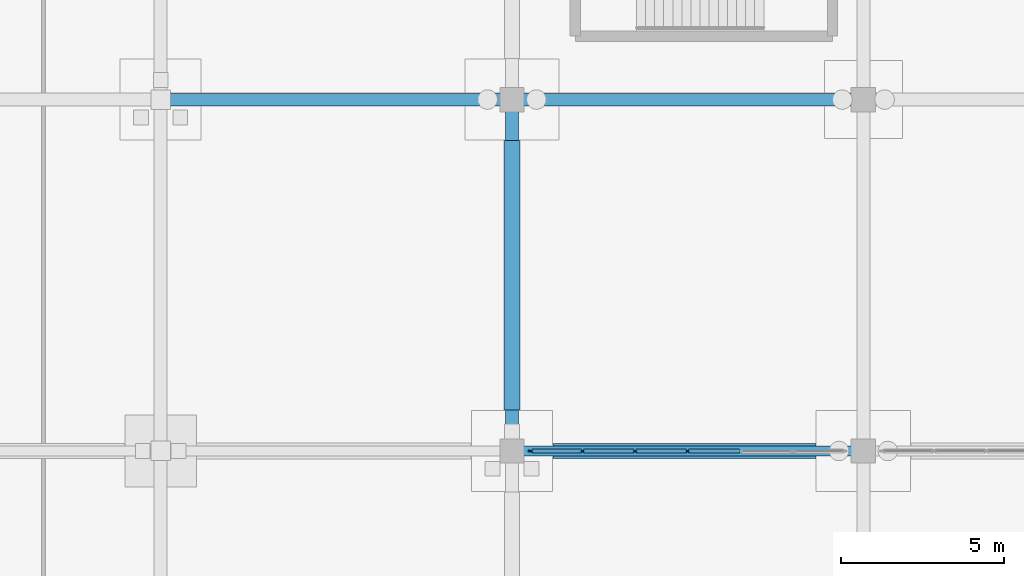
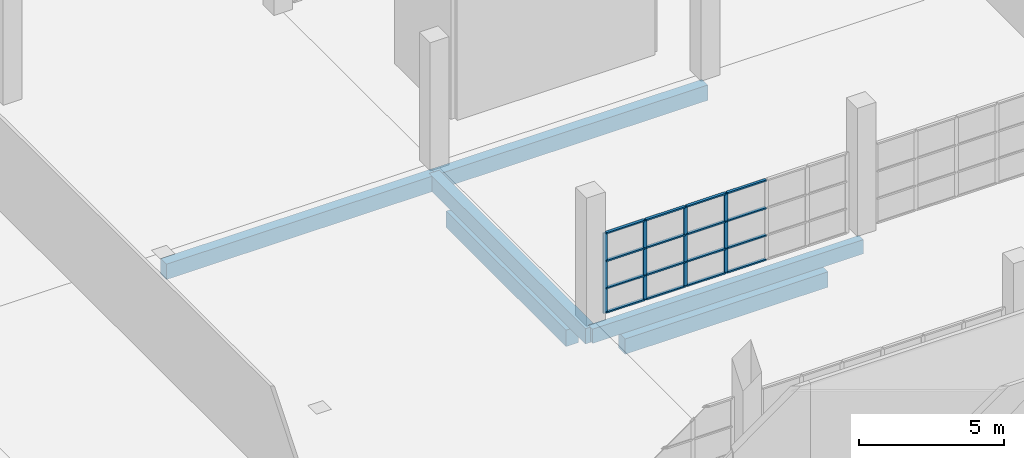
# One storey, part 69 of 138: 20 members, 6 beams, 1 element without a shape of its own.
"""IFC4 building model written with IfcOpenShell, lengths in metres."""

from ifc_helpers import new_model, si_unit, direction, frame, origin, origin_2d, place, context, subcontext, project, spatial, rectangle, extrude, material, material_profile, profile_set, type_object, element, aggregate, save


model = new_model("IFC4")

# Units and contexts
model_context = context("Model", 3, precision=1e-05, world=origin(), true_north=direction((0.0, 1.0)))
body_context = subcontext(model_context, "Body", "Model", "MODEL_VIEW")
ifc_project = project(units=[si_unit("LENGTHUNIT", "METRE"), si_unit("AREAUNIT", "SQUARE_METRE"), si_unit("VOLUMEUNIT", "CUBIC_METRE"), si_unit("PLANEANGLEUNIT", "RADIAN"), si_unit("MASSUNIT", "GRAM", prefix="KILO")], contexts=[model_context])

# Site, building, storey
site_placement = place(None, origin())
site = spatial("IfcSite", under=ifc_project, at=site_placement, CompositionType="ELEMENT")
building_placement = place(site_placement, origin())
building = spatial("IfcBuilding", under=site, at=building_placement, Name="Zwinboog Wholesale Market", CompositionType="ELEMENT")
storey_placement = place(building_placement, origin())
storey = spatial("IfcBuildingStorey", under=building, at=storey_placement, Name="L00", CompositionType="ELEMENT", Elevation=0.0)

# Beams
ifc_material_1 = material(Name="Precast concrete C45/55", Category="concrete")
ifc_material_profile_1 = material_profile(ifc_material_1, rectangle(XDim=0.39990234375, YDim=0.64990234375, at=origin_2d()), Name="PC 400x650")
ifc_profile_set_1 = profile_set([ifc_material_profile_1], Name="Precast concrete C45/55")
beam_type_1 = type_object("IfcBeamType", Name="BT-05", PredefinedType="BEAM", material=ifc_profile_set_1)
for number, where, z_axis, x_axis, name in (
    (1, (140.39990234375, 75.60009765625, -0.719970703125), (1.0, 0.0, 0.0), (0.0, 1.0, 0.0), "BG-05 (BMG-L00-1404-0756-0112)"),
    (2, (151.199951171875, 75.60009765625, -0.719970703125), (1.0, 0.0, 0.0), (0.0, 1.0, 0.0), "BG-05 (BMG-L00-1512-0756-0113)"),
    (3, (151.199951171875, 64.800048828125, -0.719970703125), (0.0, 1.0, 0.0), (-1.0, 0.0, 0.0), "BG-05 (BMG-L00-1512-0648-0359)"),
):
    element("IfcBeam", number, at=place(storey_placement, frame(where, z_axis=z_axis, x_axis=x_axis)), inside=storey, type_object=beam_type_1, Name=name, PredefinedType="BEAM", context=body_context, shape_type="SweptSolid", body=[
        extrude(rectangle(XDim=0.39990234375, YDim=0.64990234375, at=origin_2d()), origin(), (0.0, 0.0, 1.0), 10.800048828125),
    ])
ifc_material_profile_2 = material_profile(ifc_material_1, rectangle(XDim=0.300048828125, YDim=0.60009765625, at=origin_2d()), Name="PC 300x600")
ifc_profile_set_2 = profile_set([ifc_material_profile_2], Name="Precast concrete C45/55")
beam_type_2 = type_object("IfcBeamType", Name="BT-09", PredefinedType="SPANDREL", material=ifc_profile_set_2)
beam_1_placement = place(storey_placement, frame((151.199951171875, 64.800048828125, -0.695068359375), z_axis=(1.0, 0.0, 0.0), x_axis=(0.0, 1.0, 0.0)))
element("IfcBeam", 4, at=beam_1_placement, inside=storey, type_object=beam_type_2, Name="SP-02 (BMG-L00-1512-0648-0097)", PredefinedType="SPANDREL", context=body_context, shape_type="SweptSolid", body=[
    extrude(rectangle(XDim=0.300048828125, YDim=0.60009765625, at=origin_2d()), origin(), (0.0, 0.0, 1.0), 10.800048828125),
])
ifc_material_2 = material(Name="Concrete C35/45", Category="concrete")
ifc_material_profile_3 = material_profile(ifc_material_2, rectangle(XDim=0.5, YDim=0.699951171875, at=origin_2d()), Name="RC 500x700")
ifc_profile_set_3 = profile_set([ifc_material_profile_3], Name="Concrete C35/45")
beam_type_3 = type_object("IfcBeamType", Name="BT-12", PredefinedType="USERDEFINED", material=ifc_profile_set_3)
beam_2_placement = place(storey_placement, frame((151.199951171875, 66.054931640625, -1.550048828125), z_axis=(0.0, 1.0, 0.0), x_axis=(-1.0, 0.0, 0.0)))
element("IfcBeam", 5, at=beam_2_placement, inside=storey, type_object=beam_type_3, Name="GB-01 (BM-GB-0190)", ObjectType="GROUND_BEAM", PredefinedType="USERDEFINED", context=body_context, shape_type="SweptSolid", body=[
    extrude(rectangle(XDim=0.5, YDim=0.699951171875, at=origin_2d()), origin(), (0.0, 0.0, 1.0), 8.2900390625),
])
ifc_material_profile_4 = material_profile(ifc_material_2, rectangle(XDim=0.449951171875, YDim=0.64990234375, at=origin_2d()), Name="RC 450x650")
ifc_profile_set_4 = profile_set([ifc_material_profile_4], Name="Concrete C35/45")
beam_type_4 = type_object("IfcBeamType", Name="BT-13", PredefinedType="USERDEFINED", material=ifc_profile_set_4)
beam_3_placement = place(storey_placement, frame((152.455078125, 64.800048828125, -1.52490234375), z_axis=(1.0, 0.0, 0.0), x_axis=(0.0, 1.0, 0.0)))
element("IfcBeam", 6, at=beam_3_placement, inside=storey, type_object=beam_type_4, Name="GB-02 (BM-GB-0064)", ObjectType="GROUND_BEAM", PredefinedType="USERDEFINED", context=body_context, shape_type="SweptSolid", body=[
    extrude(rectangle(XDim=0.449951171875, YDim=0.64990234375, at=origin_2d()), origin(), (0.0, 0.0, 1.0), 8.08984375),
])

# Curtain wall, members
ifc_material_3 = material(Name="Aluminium thermally broken curtain wall", Category="aluminium")
curtain_wall_type = type_object("IfcCurtainWallType", Name="CWT-INT-STALL", PredefinedType="USERDEFINED", material=ifc_material_3)
curtain_wall_placement = place(storey_placement, origin())
curtain_wall = element("IfcCurtainWall", 7, at=curtain_wall_placement, inside=storey, type_object=curtain_wall_type, Name="CW-07 (CW-STL-193)", ObjectType="STOREFRONT_GLAZING", PredefinedType="USERDEFINED")
ifc_material_4 = material(Name="Aluminium EN AW-6060", Category="aluminium")
ifc_material_profile_5 = material_profile(ifc_material_4, rectangle(XDim=0.06005859375, YDim=0.14990234375, at=origin_2d()), Name="AL 60x150")
ifc_profile_set_5 = profile_set([ifc_material_profile_5], Name="Aluminium EN AW-6060")
member_type_1 = type_object("IfcMemberType", Name="CWM-INT-60x120", PredefinedType="MULLION", material=ifc_profile_set_5)
member_1_placement = place(storey_placement, frame((151.780029296875, 64.800048828125, 0.0), z_axis=(0.0, 0.0, 1.0), x_axis=(0.0, 1.0, 0.0)))
member_1 = element("IfcMember", 8, at=member_1_placement, type_object=member_type_1, Name="CW-07 mullion 1", PredefinedType="MULLION", context=body_context, shape_type="SweptSolid", body=[
    extrude(rectangle(XDim=0.06005859375, YDim=0.14990234375, at=origin_2d()), origin(), (0.0, 0.0, 1.0), 3.39990234375),
])
member_2_placement = place(storey_placement, frame((153.36669921875, 64.800048828125, 0.0), z_axis=(0.0, 0.0, 1.0), x_axis=(0.0, 1.0, 0.0)))
member_2 = element("IfcMember", 9, at=member_2_placement, type_object=member_type_1, Name="CW-07 mullion 2", PredefinedType="MULLION", context=body_context, shape_type="SweptSolid", body=[
    extrude(rectangle(XDim=0.06005859375, YDim=0.14990234375, at=origin_2d()), origin(), (0.0, 0.0, 1.0), 3.39990234375),
])
member_3_placement = place(storey_placement, frame((154.9833984375, 64.800048828125, 0.0), z_axis=(0.0, 0.0, 1.0), x_axis=(0.0, 1.0, 0.0)))
member_3 = element("IfcMember", 10, at=member_3_placement, type_object=member_type_1, Name="CW-07 mullion 3", PredefinedType="MULLION", context=body_context, shape_type="SweptSolid", body=[
    extrude(rectangle(XDim=0.06005859375, YDim=0.14990234375, at=origin_2d()), origin(), (0.0, 0.0, 1.0), 3.39990234375),
])
member_4_placement = place(storey_placement, frame((156.60009765625, 64.800048828125, 0.0), z_axis=(0.0, 0.0, 1.0), x_axis=(0.0, 1.0, 0.0)))
member_4 = element("IfcMember", 11, at=member_4_placement, type_object=member_type_1, Name="CW-07 mullion 4", PredefinedType="MULLION", context=body_context, shape_type="SweptSolid", body=[
    extrude(rectangle(XDim=0.06005859375, YDim=0.14990234375, at=origin_2d()), origin(), (0.0, 0.0, 1.0), 3.39990234375),
])
ifc_material_profile_6 = material_profile(ifc_material_4, rectangle(XDim=0.110107421875, YDim=0.06005859375, at=origin_2d()), Name="AL 60x110")
ifc_profile_set_6 = profile_set([ifc_material_profile_6], Name="Aluminium EN AW-6060")
member_type_2 = type_object("IfcMemberType", Name="CWT-INT-60x100", PredefinedType="USERDEFINED", material=ifc_profile_set_6)
member_5_placement = place(storey_placement, frame((151.81005859375, 64.800048828125, 0.030029296875), z_axis=(1.0, 0.0, 0.0), x_axis=(0.0, 1.0, 0.0)))
member_5 = element("IfcMember", 12, at=member_5_placement, type_object=member_type_2, Name="CW-07 transom 1.1", ObjectType="TRANSOM", PredefinedType="USERDEFINED", context=body_context, shape_type="SweptSolid", body=[
    extrude(rectangle(XDim=0.110107421875, YDim=0.06005859375, at=origin_2d()), origin(), (0.0, 0.0, 1.0), 1.526611328125),
])
member_6_placement = place(storey_placement, frame((151.81005859375, 64.800048828125, 1.050048828125), z_axis=(1.0, 0.0, 0.0), x_axis=(0.0, 1.0, 0.0)))
member_6 = element("IfcMember", 13, at=member_6_placement, type_object=member_type_2, Name="CW-07 transom 1.2", ObjectType="TRANSOM", PredefinedType="USERDEFINED", context=body_context, shape_type="SweptSolid", body=[
    extrude(rectangle(XDim=0.110107421875, YDim=0.06005859375, at=origin_2d()), origin(), (0.0, 0.0, 1.0), 1.526611328125),
])
member_7_placement = place(storey_placement, frame((151.81005859375, 64.800048828125, 2.199951171875), z_axis=(1.0, 0.0, 0.0), x_axis=(0.0, 1.0, 0.0)))
member_7 = element("IfcMember", 14, at=member_7_placement, type_object=member_type_2, Name="CW-07 transom 1.3", ObjectType="TRANSOM", PredefinedType="USERDEFINED", context=body_context, shape_type="SweptSolid", body=[
    extrude(rectangle(XDim=0.110107421875, YDim=0.06005859375, at=origin_2d()), origin(), (0.0, 0.0, 1.0), 1.526611328125),
])
member_8_placement = place(storey_placement, frame((151.81005859375, 64.800048828125, 3.3701171875), z_axis=(1.0, 0.0, 0.0), x_axis=(0.0, 1.0, 0.0)))
member_8 = element("IfcMember", 15, at=member_8_placement, type_object=member_type_2, Name="CW-07 transom 1.4", ObjectType="TRANSOM", PredefinedType="USERDEFINED", context=body_context, shape_type="SweptSolid", body=[
    extrude(rectangle(XDim=0.110107421875, YDim=0.06005859375, at=origin_2d()), origin(), (0.0, 0.0, 1.0), 1.526611328125),
])
member_9_placement = place(storey_placement, frame((153.396728515625, 64.800048828125, 0.030029296875), z_axis=(1.0, 0.0, 0.0), x_axis=(0.0, 1.0, 0.0)))
member_9 = element("IfcMember", 16, at=member_9_placement, type_object=member_type_2, Name="CW-07 transom 2.1", ObjectType="TRANSOM", PredefinedType="USERDEFINED", context=body_context, shape_type="SweptSolid", body=[
    extrude(rectangle(XDim=0.110107421875, YDim=0.06005859375, at=origin_2d()), origin(), (0.0, 0.0, 1.0), 1.556640625),
])
member_10_placement = place(storey_placement, frame((153.396728515625, 64.800048828125, 1.050048828125), z_axis=(1.0, 0.0, 0.0), x_axis=(0.0, 1.0, 0.0)))
member_10 = element("IfcMember", 17, at=member_10_placement, type_object=member_type_2, Name="CW-07 transom 2.2", ObjectType="TRANSOM", PredefinedType="USERDEFINED", context=body_context, shape_type="SweptSolid", body=[
    extrude(rectangle(XDim=0.110107421875, YDim=0.06005859375, at=origin_2d()), origin(), (0.0, 0.0, 1.0), 1.556640625),
])
member_11_placement = place(storey_placement, frame((153.396728515625, 64.800048828125, 2.199951171875), z_axis=(1.0, 0.0, 0.0), x_axis=(0.0, 1.0, 0.0)))
member_11 = element("IfcMember", 18, at=member_11_placement, type_object=member_type_2, Name="CW-07 transom 2.3", ObjectType="TRANSOM", PredefinedType="USERDEFINED", context=body_context, shape_type="SweptSolid", body=[
    extrude(rectangle(XDim=0.110107421875, YDim=0.06005859375, at=origin_2d()), origin(), (0.0, 0.0, 1.0), 1.556640625),
])
member_12_placement = place(storey_placement, frame((153.396728515625, 64.800048828125, 3.3701171875), z_axis=(1.0, 0.0, 0.0), x_axis=(0.0, 1.0, 0.0)))
member_12 = element("IfcMember", 19, at=member_12_placement, type_object=member_type_2, Name="CW-07 transom 2.4", ObjectType="TRANSOM", PredefinedType="USERDEFINED", context=body_context, shape_type="SweptSolid", body=[
    extrude(rectangle(XDim=0.110107421875, YDim=0.06005859375, at=origin_2d()), origin(), (0.0, 0.0, 1.0), 1.556640625),
])
member_13_placement = place(storey_placement, frame((155.013427734375, 64.800048828125, 0.030029296875), z_axis=(1.0, 0.0, 0.0), x_axis=(0.0, 1.0, 0.0)))
member_13 = element("IfcMember", 20, at=member_13_placement, type_object=member_type_2, Name="CW-07 transom 3.1", ObjectType="TRANSOM", PredefinedType="USERDEFINED", context=body_context, shape_type="SweptSolid", body=[
    extrude(rectangle(XDim=0.110107421875, YDim=0.06005859375, at=origin_2d()), origin(), (0.0, 0.0, 1.0), 1.556640625),
])
member_14_placement = place(storey_placement, frame((155.013427734375, 64.800048828125, 1.050048828125), z_axis=(1.0, 0.0, 0.0), x_axis=(0.0, 1.0, 0.0)))
member_14 = element("IfcMember", 21, at=member_14_placement, type_object=member_type_2, Name="CW-07 transom 3.2", ObjectType="TRANSOM", PredefinedType="USERDEFINED", context=body_context, shape_type="SweptSolid", body=[
    extrude(rectangle(XDim=0.110107421875, YDim=0.06005859375, at=origin_2d()), origin(), (0.0, 0.0, 1.0), 1.556640625),
])
member_15_placement = place(storey_placement, frame((155.013427734375, 64.800048828125, 2.199951171875), z_axis=(1.0, 0.0, 0.0), x_axis=(0.0, 1.0, 0.0)))
member_15 = element("IfcMember", 22, at=member_15_placement, type_object=member_type_2, Name="CW-07 transom 3.3", ObjectType="TRANSOM", PredefinedType="USERDEFINED", context=body_context, shape_type="SweptSolid", body=[
    extrude(rectangle(XDim=0.110107421875, YDim=0.06005859375, at=origin_2d()), origin(), (0.0, 0.0, 1.0), 1.556640625),
])
member_16_placement = place(storey_placement, frame((155.013427734375, 64.800048828125, 3.3701171875), z_axis=(1.0, 0.0, 0.0), x_axis=(0.0, 1.0, 0.0)))
member_16 = element("IfcMember", 23, at=member_16_placement, type_object=member_type_2, Name="CW-07 transom 3.4", ObjectType="TRANSOM", PredefinedType="USERDEFINED", context=body_context, shape_type="SweptSolid", body=[
    extrude(rectangle(XDim=0.110107421875, YDim=0.06005859375, at=origin_2d()), origin(), (0.0, 0.0, 1.0), 1.556640625),
])
member_17_placement = place(storey_placement, frame((156.6298828125, 64.800048828125, 0.030029296875), z_axis=(1.0, 0.0, 0.0), x_axis=(0.0, 1.0, 0.0)))
member_17 = element("IfcMember", 24, at=member_17_placement, type_object=member_type_2, Name="CW-07 transom 4.1", ObjectType="TRANSOM", PredefinedType="USERDEFINED", context=body_context, shape_type="SweptSolid", body=[
    extrude(rectangle(XDim=0.110107421875, YDim=0.06005859375, at=origin_2d()), origin(), (0.0, 0.0, 1.0), 1.556884765625),
])
member_18_placement = place(storey_placement, frame((156.6298828125, 64.800048828125, 1.050048828125), z_axis=(1.0, 0.0, 0.0), x_axis=(0.0, 1.0, 0.0)))
member_18 = element("IfcMember", 25, at=member_18_placement, type_object=member_type_2, Name="CW-07 transom 4.2", ObjectType="TRANSOM", PredefinedType="USERDEFINED", context=body_context, shape_type="SweptSolid", body=[
    extrude(rectangle(XDim=0.110107421875, YDim=0.06005859375, at=origin_2d()), origin(), (0.0, 0.0, 1.0), 1.556884765625),
])
member_19_placement = place(storey_placement, frame((156.6298828125, 64.800048828125, 2.199951171875), z_axis=(1.0, 0.0, 0.0), x_axis=(0.0, 1.0, 0.0)))
member_19 = element("IfcMember", 26, at=member_19_placement, type_object=member_type_2, Name="CW-07 transom 4.3", ObjectType="TRANSOM", PredefinedType="USERDEFINED", context=body_context, shape_type="SweptSolid", body=[
    extrude(rectangle(XDim=0.110107421875, YDim=0.06005859375, at=origin_2d()), origin(), (0.0, 0.0, 1.0), 1.556884765625),
])
member_20_placement = place(storey_placement, frame((156.6298828125, 64.800048828125, 3.3701171875), z_axis=(1.0, 0.0, 0.0), x_axis=(0.0, 1.0, 0.0)))
member_20 = element("IfcMember", 27, at=member_20_placement, type_object=member_type_2, Name="CW-07 transom 4.4", ObjectType="TRANSOM", PredefinedType="USERDEFINED", context=body_context, shape_type="SweptSolid", body=[
    extrude(rectangle(XDim=0.110107421875, YDim=0.06005859375, at=origin_2d()), origin(), (0.0, 0.0, 1.0), 1.556884765625),
])
aggregate(curtain_wall, [member_1, member_2, member_3, member_4, member_5, member_6, member_7, member_8, member_9, member_10, member_11, member_12, member_13, member_14, member_15, member_16, member_17, member_18, member_19, member_20])

save(model, "model.ifc")
